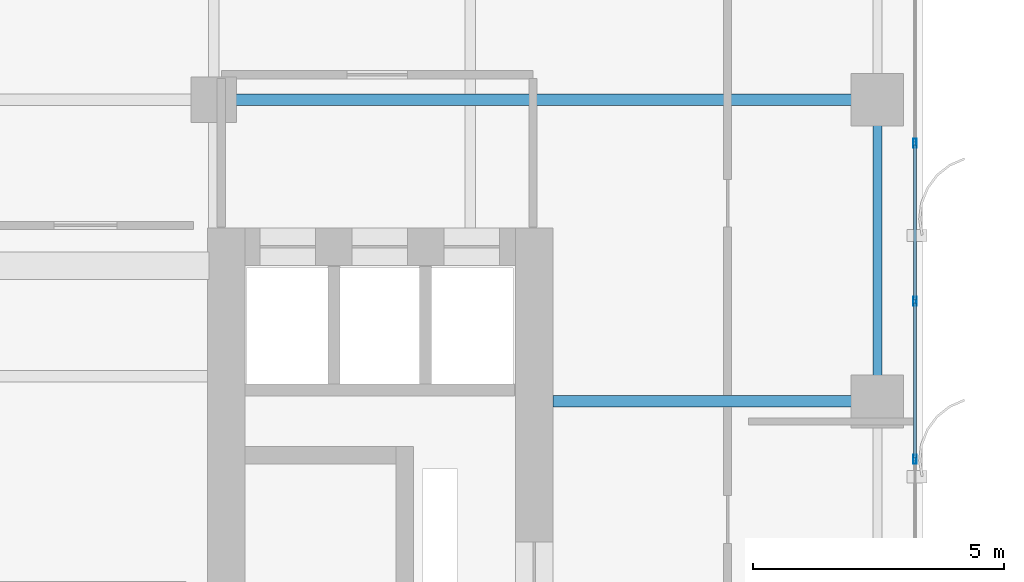
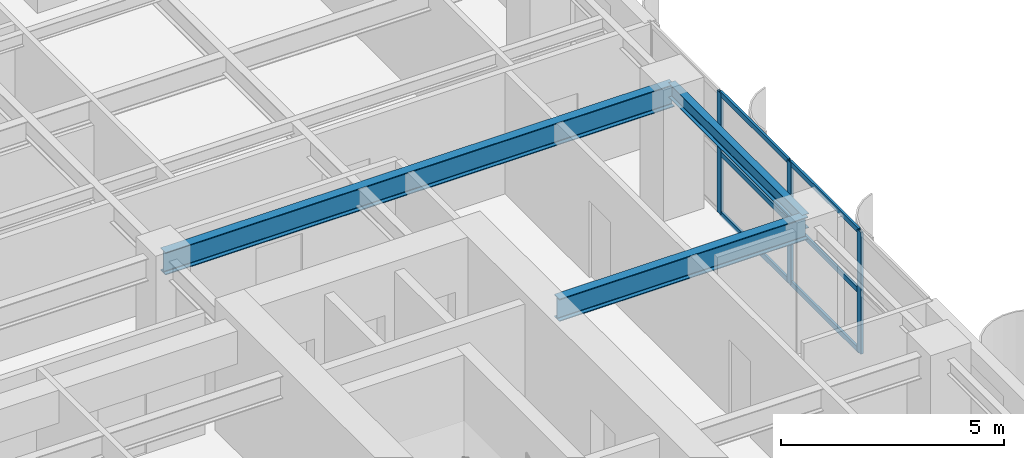
# One storey, part 8 of 23: 9 members, 3 beams, 1 element without a shape of its own.
"""IFC4 building model written with IfcOpenShell, lengths in metres."""

import ifcopenshell
import ifcopenshell.guid

model = None  # the IFC model being written
_history = None  # IfcOwnerHistory: only IFC2X3 demands one
_inside = {}  # id of a spatial element -> (the spatial element, [elements in it])
_under = {}  # id of a project, library or spatial element -> (it, [spatial elements below it])
_declared = {}  # id of a project -> (the project, [libraries it declares])
_typed = {}  # id of a type object -> (the type object, [elements of that type])
_made_of = {}  # id of a material, layer set ... -> (it, [elements and type objects made of it])


def new_model(schema):
    """Start an empty IFC model of exactly this schema.

    Asked for "IFC4X3", IfcOpenShell would pick the latest addendum, in which some entities
    have other attributes; the version numbers below select the first issue.
    IFC2X3 requires an IfcOwnerHistory on every rooted entity: one is made here for all.
    """
    global model, _history
    if schema == "IFC4X3":
        model = ifcopenshell.file(schema_version=(4, 3, 0, 0))
    else:
        model = ifcopenshell.file(schema=schema)
    _inside.clear()
    _under.clear()
    _declared.clear()
    _typed.clear()
    _made_of.clear()
    _history = None
    if model.schema == "IFC2X3":
        org = make("IfcOrganization", Name="unknown")
        user = make(
            "IfcPersonAndOrganization",
            ThePerson=make("IfcPerson", FamilyName="unknown"),
            TheOrganization=org,
        )
        app = make(
            "IfcApplication",
            ApplicationDeveloper=org,
            Version="unknown",
            ApplicationFullName="unknown",
            ApplicationIdentifier="unknown",
        )
        _history = make(
            "IfcOwnerHistory",
            OwningUser=user,
            OwningApplication=app,
            ChangeAction="ADDED",
            CreationDate=0,
        )
    return model


def make(cls, **values):
    """One entity of the class cls with the attributes given. An attribute that is None is left unset."""
    return model.create_entity(
        cls, **{name: value for name, value in values.items() if value is not None}
    )


def rooted(cls, **values):
    """An entity with a GlobalId (a new one), such as an element, a storey or a relation."""
    return make(cls, GlobalId=ifcopenshell.guid.new(), OwnerHistory=_history, **values)


def si_unit(unit_type, name, prefix=None):
    """IfcSIUnit, for example si_unit("LENGTHUNIT", "METRE", prefix="MILLI")."""
    return make("IfcSIUnit", UnitType=unit_type, Prefix=prefix, Name=name)


def assignment(units):
    """IfcUnitAssignment: the units of a project."""
    return None if units is None else make("IfcUnitAssignment", Units=units)


def point(xyz):
    """IfcCartesianPoint."""
    return None if xyz is None else make("IfcCartesianPoint", Coordinates=xyz)


def direction(xyz):
    """IfcDirection."""
    return None if xyz is None else make("IfcDirection", DirectionRatios=xyz)


def frame(location, z_axis=None, x_axis=None):
    """IfcAxis2Placement3D, a coordinate frame: its origin and axes. An axis left out is left unset."""
    return make(
        "IfcAxis2Placement3D",
        Location=point(location),
        Axis=direction(z_axis),
        RefDirection=direction(x_axis),
    )


def frame_2d(location, x_axis=None):
    """IfcAxis2Placement2D, a coordinate frame in the plane: its origin and x axis."""
    return make(
        "IfcAxis2Placement2D", Location=point(location), RefDirection=direction(x_axis)
    )


def origin():
    """The frame at (0, 0, 0) with its axes left unset."""
    return frame((0.0, 0.0, 0.0))


def origin_2d():
    """The frame at (0, 0) in the plane with its x axis left unset."""
    return frame_2d((0.0, 0.0))


def place(relative_to, where):
    """IfcLocalPlacement: puts the frame where relative to a parent placement (None: the world)."""
    return make(
        "IfcLocalPlacement", PlacementRelTo=relative_to, RelativePlacement=where
    )


def context(
    kind, dimensions, precision=None, world=None, true_north=None, identifier=None
):
    """IfcGeometricRepresentationContext, for example the 3D "Model" context."""
    return make(
        "IfcGeometricRepresentationContext",
        ContextIdentifier=identifier,
        ContextType=kind,
        CoordinateSpaceDimension=dimensions,
        Precision=precision,
        WorldCoordinateSystem=world,
        TrueNorth=true_north,
    )


def subcontext(parent, identifier, kind, view, scale=None):
    """IfcGeometricRepresentationSubContext, for example "Body" below "Model"."""
    return make(
        "IfcGeometricRepresentationSubContext",
        ContextIdentifier=identifier,
        ContextType=kind,
        ParentContext=parent,
        TargetScale=scale,
        TargetView=view,
    )


def project(units=None, contexts=None):
    """IfcProject with its units and contexts."""
    return rooted(
        "IfcProject",
        Name="project",
        RepresentationContexts=contexts,
        UnitsInContext=assignment(units),
    )


def spatial(cls, under=None, at=None, **own):
    """A site, building, storey or space (cls), placed at a placement, below another one or the project."""
    s = rooted(cls, ObjectPlacement=at, **own)
    if under is not None:
        _under.setdefault(under.id(), (under, []))[1].append(s)
    return s


def profile(cls, at=None, kind="AREA", **sizes):
    """A parametric profile (cls). Its sizes go by their IFC names, for example OverallWidth=200.0."""
    return make(cls, ProfileType=kind, Position=at, **sizes)


def hollow_rectangle(**sizes):
    """IfcRectangleHollowProfileDef."""
    return profile("IfcRectangleHollowProfileDef", **sizes)


def i_section(**sizes):
    """IfcIShapeProfileDef."""
    return profile("IfcIShapeProfileDef", **sizes)


def extrude(swept, where, along, depth):
    """IfcExtrudedAreaSolid: the profile swept, set in the frame where, extruded along a direction by depth."""
    return make(
        "IfcExtrudedAreaSolid",
        SweptArea=swept,
        Position=where,
        ExtrudedDirection=direction(along),
        Depth=depth,
    )


def shape(context_of_items, identifier, shape_type, items):
    """IfcShapeRepresentation: the items that make up one representation, for example the "Body"."""
    return make(
        "IfcShapeRepresentation",
        ContextOfItems=context_of_items,
        RepresentationIdentifier=identifier,
        RepresentationType=shape_type,
        Items=items,
    )


def source(mapping_origin, context_of_items, identifier, shape_type, items):
    """IfcRepresentationMap: a shape defined once, which mapped items show again and again."""
    return make(
        "IfcRepresentationMap",
        MappingOrigin=mapping_origin,
        MappedRepresentation=shape(context_of_items, identifier, shape_type, items),
    )


def transform(
    local_origin,
    x_axis=None,
    y_axis=None,
    z_axis=None,
    scale=None,
    scale2=None,
    scale3=None,
    uniform=True,
):
    """IfcCartesianTransformationOperator3D, or its non-uniform kind. x_axis, y_axis, z_axis: its Axis1, 2, 3."""
    if uniform:
        return make(
            "IfcCartesianTransformationOperator3D",
            Axis1=direction(x_axis),
            Axis2=direction(y_axis),
            LocalOrigin=point(local_origin),
            Scale=scale,
            Axis3=direction(z_axis),
        )
    return make(
        "IfcCartesianTransformationOperator3DnonUniform",
        Axis1=direction(x_axis),
        Axis2=direction(y_axis),
        LocalOrigin=point(local_origin),
        Scale=scale,
        Axis3=direction(z_axis),
        Scale2=scale2,
        Scale3=scale3,
    )


def mapped(mapping_source, mapping_target):
    """IfcMappedItem: shows the shape of a source again, moved by a transform."""
    return make(
        "IfcMappedItem", MappingSource=mapping_source, MappingTarget=mapping_target
    )


def material(Name=None, Category=None):
    """IfcMaterial."""
    return make("IfcMaterial", Name=Name, Category=Category)


def layer(
    of_material, thickness, ventilated=None, Name=None, Category=None, Priority=None
):
    """IfcMaterialLayer: one layer of a wall or slab, of a material (None: an air gap)."""
    return make(
        "IfcMaterialLayer",
        Material=of_material,
        LayerThickness=thickness,
        IsVentilated=ventilated,
        Name=Name,
        Category=Category,
        Priority=Priority,
    )


def layer_set(layers, Name=None):
    """IfcMaterialLayerSet."""
    return make("IfcMaterialLayerSet", MaterialLayers=layers, LayerSetName=Name)


def material_profile(
    of_material, cross_section, Name=None, Category=None, Priority=None
):
    """IfcMaterialProfile: a cross section and its material."""
    return make(
        "IfcMaterialProfile",
        Name=Name,
        Material=of_material,
        Profile=cross_section,
        Priority=Priority,
        Category=Category,
    )


def profile_set(profiles, Name=None, composite=None):
    """IfcMaterialProfileSet."""
    return make(
        "IfcMaterialProfileSet",
        Name=Name,
        MaterialProfiles=profiles,
        CompositeProfile=composite,
    )


def made_of(thing, what):
    """Note that an element or type object is made of a material, layer set ...; save() writes the relation."""
    if what is not None:
        _made_of.setdefault(what.id(), (what, []))[1].append(thing)
    return thing


def type_object(cls, material=None, **own):
    """A type object (cls), such as IfcWallType, which elements share."""
    return made_of(rooted(cls, **own), material)


def element(
    cls,
    number,
    at=None,
    inside=None,
    cuts=None,
    type_object=None,
    material=None,
    context=None,
    identifier="Body",
    shape_type=None,
    held_by="IfcProductDefinitionShape",
    body=None,
    shapes=None,
    **own,
):
    """One element of the class cls, such as IfcWall. Its Tag is "e" and its number.

    at: its placement. inside: the storey or other place that contains it. cuts: it is an
    opening in that element (IfcRelVoidsElement). A single representation is given by context,
    identifier, shape_type and body (its items); several are given by shapes. held_by: the class
    of the entity that holds the representations. save() writes the other relations.
    """
    e = rooted(cls, Tag="e%d" % number, ObjectPlacement=at, **own)
    if body is not None:
        shapes = [shape(context, identifier, shape_type, body)]
    if shapes is not None:
        e.Representation = make(held_by, Representations=shapes)
    if inside is not None:
        _inside.setdefault(inside.id(), (inside, []))[1].append(e)
    if cuts is not None:
        rooted(
            "IfcRelVoidsElement", RelatingBuildingElement=cuts, RelatedOpeningElement=e
        )
    if type_object is not None:
        _typed.setdefault(type_object.id(), (type_object, []))[1].append(e)
    return made_of(e, material)


def aggregate(whole, parts):
    """IfcRelAggregates: a whole, such as a stair, and the parts it consists of."""
    return rooted("IfcRelAggregates", RelatingObject=whole, RelatedObjects=parts)


def save(model, path):
    """Write the relations noted so far, then the file.

    IfcRelAggregates (storeys below a building ...), IfcRelContainedInSpatialStructure (elements
    in a storey), IfcRelDefinesByType, IfcRelAssociatesMaterial and IfcRelDeclares: one each for
    every whole, place, type object, material and project.
    """
    for whole, parts in _under.values():
        aggregate(whole, parts)
    for where, things in _inside.values():
        rooted(
            "IfcRelContainedInSpatialStructure",
            RelatedElements=things,
            RelatingStructure=where,
        )
    for kind, things in _typed.values():
        rooted("IfcRelDefinesByType", RelatedObjects=things, RelatingType=kind)
    for what, things in _made_of.values():
        rooted("IfcRelAssociatesMaterial", RelatedObjects=things, RelatingMaterial=what)
    for by, libraries in _declared.values():
        rooted("IfcRelDeclares", RelatingContext=by, RelatedDefinitions=libraries)
    model.write(path)


model = new_model("IFC4")

# Units and contexts
model_context = context("Model", 3, precision=1e-05, world=origin(), true_north=direction((0.0, 1.0)))
body_context = subcontext(model_context, "Body", "Model", "MODEL_VIEW")
ifc_project = project(units=[si_unit("LENGTHUNIT", "METRE"), si_unit("AREAUNIT", "SQUARE_METRE"), si_unit("VOLUMEUNIT", "CUBIC_METRE"), si_unit("PLANEANGLEUNIT", "RADIAN"), si_unit("MASSUNIT", "GRAM", prefix="KILO")], contexts=[model_context])

# Site, building, storey
site_placement = place(None, origin())
site = spatial("IfcSite", under=ifc_project, at=site_placement, CompositionType="ELEMENT")
building_placement = place(site_placement, origin())
building = spatial("IfcBuilding", under=site, at=building_placement, Name="Khoralis Quay Care Tower", CompositionType="ELEMENT")
storey_placement = place(building_placement, frame((0.0, 0.0, 119.699951171875)))
storey = spatial("IfcBuildingStorey", under=building, at=storey_placement, Name="L31", CompositionType="ELEMENT", Elevation=119.699951171875)

# Beams
ifc_material_1 = material(Name="Steel S355", Category="steel")
ifc_material_profile_1 = material_profile(ifc_material_1, i_section(OverallWidth=0.179931640625, OverallDepth=0.39990234375, WebThickness=0.008544921875, FlangeThickness=0.013427734375, FilletRadius=0.02099609375, at=origin_2d()), Name="Steel S355")
ifc_profile_set_1 = profile_set([ifc_material_profile_1], Name="Steel S355")
beam_type_1 = type_object("IfcBeamType", Name="BM-IPE400", PredefinedType="SPANDREL", material=ifc_profile_set_1)
shared_shape_1 = source(origin(), body_context, "Body", "SweptSolid", [
    extrude(i_section(OverallWidth=0.179931640625, OverallDepth=0.39990234375, WebThickness=0.008544921875, FlangeThickness=0.013427734375, FilletRadius=0.02099609375, at=origin_2d()), origin(), (0.0, 0.0, 1.0), 6.0),
])
beam_1_placement = place(storey_placement, frame((44.10009765625, 24.0, 3.14013671875), z_axis=(0.0, 1.0, 0.0), x_axis=(-1.0, 0.0, 0.0)))
element("IfcBeam", 1, at=beam_1_placement, inside=storey, type_object=beam_type_1, Name="BM-TSP-L31-19", PredefinedType="SPANDREL", context=body_context, shape_type="MappedRepresentation", body=[
    mapped(shared_shape_1, transform((0.0, 0.0, 0.0), scale=1.0)),
])
ifc_material_profile_2 = material_profile(ifc_material_1, i_section(OverallWidth=0.22998046875, OverallDepth=0.616943359375, WebThickness=0.01318359375, FlangeThickness=0.022216796875, FilletRadius=0.01806640625, at=origin_2d()), Name="Steel S355")
ifc_profile_set_2 = profile_set([ifc_material_profile_2], Name="Steel S355")
beam_type_2 = type_object("IfcBeamType", Name="BM-W610X140", PredefinedType="BEAM", material=ifc_profile_set_2)
shared_shape_2 = source(origin(), body_context, "Body", "SweptSolid", [
    extrude(i_section(OverallWidth=0.22998046875, OverallDepth=0.616943359375, WebThickness=0.01318359375, FlangeThickness=0.022216796875, FilletRadius=0.01806640625, at=origin_2d()), origin(), (0.0, 0.0, 1.0), 13.2001953125),
])
beam_2_placement = place(storey_placement, frame((30.89990234375, 30.0, 3.031494140625), z_axis=(1.0, 0.0, 0.0), x_axis=(0.0, 1.0, 0.0)))
element("IfcBeam", 2, at=beam_2_placement, inside=storey, type_object=beam_type_2, Name="BM-TGXE-L31-300", PredefinedType="BEAM", context=body_context, shape_type="MappedRepresentation", body=[
    mapped(shared_shape_2, transform((0.0, 0.0, 0.0), scale=1.0)),
])
shared_shape_3 = source(origin(), body_context, "Body", "SweptSolid", [
    extrude(i_section(OverallWidth=0.22998046875, OverallDepth=0.616943359375, WebThickness=0.01318359375, FlangeThickness=0.022216796875, FilletRadius=0.01806640625, at=origin_2d()), origin(), (0.0, 0.0, 1.0), 6.4521484375),
])
beam_3_placement = place(storey_placement, frame((37.64794921875, 24.0, 3.031494140625), z_axis=(1.0, 0.0, 0.0), x_axis=(0.0, 1.0, 0.0)))
element("IfcBeam", 3, at=beam_3_placement, inside=storey, type_object=beam_type_2, Name="BM-TGXE-L31-240", PredefinedType="BEAM", context=body_context, shape_type="MappedRepresentation", body=[
    mapped(shared_shape_3, transform((0.0, 0.0, 0.0), scale=1.0)),
])

# Curtain wall, members
ifc_material_2 = material(Name="Pale anodised aluminium", Category="aluminium")
ifc_layer = layer(ifc_material_2, 0.169921875)
ifc_layer_set = layer_set([ifc_layer], Name="Pale anodised aluminium")
curtain_wall_type = type_object("IfcCurtainWallType", Name="CW-SYS-Z2", PredefinedType="NOTDEFINED", material=ifc_layer_set)
curtain_wall_placement = place(storey_placement, origin())
curtain_wall = element("IfcCurtainWall", 4, at=curtain_wall_placement, inside=storey, type_object=curtain_wall_type, Name="L31 Unitised Curtain Wall CW-L31-P1-E5", PredefinedType="NOTDEFINED")
ifc_material_profile_3 = material_profile(ifc_material_2, hollow_rectangle(XDim=0.06005859375, YDim=0.139892578125, WallThickness=0.00390625, at=origin_2d()), Name="Pale anodised aluminium")
ifc_profile_set_3 = profile_set([ifc_material_profile_3], Name="Pale anodised aluminium")
member_type_1 = type_object("IfcMemberType", Name="CW-TRN-140", PredefinedType="USERDEFINED", material=ifc_profile_set_3)
shared_shape_4 = source(origin(), body_context, "Body", "SweptSolid", [
    extrude(hollow_rectangle(XDim=0.06005859375, YDim=0.139892578125, WallThickness=0.00390625, at=origin_2d()), origin(), (0.0, 0.0, 1.0), 3.0849609375),
])
member_1_placement = place(storey_placement, frame((44.85009765625, 22.875, 0.030029296875), z_axis=(0.0, 1.0, 0.0), x_axis=(-1.0, 0.0, 0.0)))
member_1 = element("IfcMember", 5, at=member_1_placement, type_object=member_type_1, Name="CW2 transom 2.1", ObjectType="TRANSOM", PredefinedType="USERDEFINED", context=body_context, shape_type="MappedRepresentation", body=[
    mapped(shared_shape_4, transform((0.0, 0.0, 0.0), scale=1.0)),
])
member_2_placement = place(storey_placement, frame((44.85009765625, 22.875, 1.670166015625), z_axis=(0.0, 1.0, 0.0), x_axis=(-1.0, 0.0, 0.0)))
member_2 = element("IfcMember", 6, at=member_2_placement, type_object=member_type_1, Name="CW2 transom 2.2", ObjectType="TRANSOM", PredefinedType="USERDEFINED", context=body_context, shape_type="MappedRepresentation", body=[
    mapped(shared_shape_4, transform((0.0, 0.0, 0.0), scale=1.0)),
])
member_3_placement = place(storey_placement, frame((44.85009765625, 22.875, 3.31005859375), z_axis=(0.0, 1.0, 0.0), x_axis=(-1.0, 0.0, 0.0)))
member_3 = element("IfcMember", 7, at=member_3_placement, type_object=member_type_1, Name="CW2 transom 2.3", ObjectType="TRANSOM", PredefinedType="USERDEFINED", context=body_context, shape_type="MappedRepresentation", body=[
    mapped(shared_shape_4, transform((0.0, 0.0, 0.0), scale=1.0)),
])
member_4_placement = place(storey_placement, frame((44.85009765625, 26.02001953125, 0.030029296875), z_axis=(0.0, 1.0, 0.0), x_axis=(-1.0, 0.0, 0.0)))
member_4 = element("IfcMember", 8, at=member_4_placement, type_object=member_type_1, Name="CW2 transom 3.1", ObjectType="TRANSOM", PredefinedType="USERDEFINED", context=body_context, shape_type="MappedRepresentation", body=[
    mapped(shared_shape_4, transform((0.0, 0.0, 0.0), scale=1.0)),
])
member_5_placement = place(storey_placement, frame((44.85009765625, 26.02001953125, 1.670166015625), z_axis=(0.0, 1.0, 0.0), x_axis=(-1.0, 0.0, 0.0)))
member_5 = element("IfcMember", 9, at=member_5_placement, type_object=member_type_1, Name="CW2 transom 3.2", ObjectType="TRANSOM", PredefinedType="USERDEFINED", context=body_context, shape_type="MappedRepresentation", body=[
    mapped(shared_shape_4, transform((0.0, 0.0, 0.0), scale=1.0)),
])
member_6_placement = place(storey_placement, frame((44.85009765625, 26.02001953125, 3.31005859375), z_axis=(0.0, 1.0, 0.0), x_axis=(-1.0, 0.0, 0.0)))
member_6 = element("IfcMember", 10, at=member_6_placement, type_object=member_type_1, Name="CW2 transom 3.3", ObjectType="TRANSOM", PredefinedType="USERDEFINED", context=body_context, shape_type="MappedRepresentation", body=[
    mapped(shared_shape_4, transform((0.0, 0.0, 0.0), scale=1.0)),
])
ifc_material_profile_4 = material_profile(ifc_material_2, hollow_rectangle(XDim=0.06494140625, YDim=0.179931640625, WallThickness=0.00390625, at=origin_2d()), Name="Pale anodised aluminium")
ifc_profile_set_4 = profile_set([ifc_material_profile_4], Name="Pale anodised aluminium")
member_type_2 = type_object("IfcMemberType", Name="CW-MUL-180", PredefinedType="MULLION", material=ifc_profile_set_4)
shared_shape_5 = source(origin(), body_context, "Body", "SweptSolid", [
    extrude(hollow_rectangle(XDim=0.06494140625, YDim=0.179931640625, WallThickness=0.00390625, at=origin_2d()), origin(), (0.0, 0.0, 1.0), 3.340087890625),
])
member_7_placement = place(storey_placement, frame((44.85009765625, 22.844970703125, 0.0), z_axis=(0.0, 0.0, 1.0), x_axis=(-1.0, 0.0, 0.0)))
member_7 = element("IfcMember", 11, at=member_7_placement, type_object=member_type_2, Name="CW2 mullion 2", PredefinedType="MULLION", context=body_context, shape_type="MappedRepresentation", body=[
    mapped(shared_shape_5, transform((0.0, 0.0, 0.0), scale=1.0)),
])
member_8_placement = place(storey_placement, frame((44.85009765625, 25.989990234375, 0.0), z_axis=(0.0, 0.0, 1.0), x_axis=(-1.0, 0.0, 0.0)))
member_8 = element("IfcMember", 12, at=member_8_placement, type_object=member_type_2, Name="CW2 mullion 3", PredefinedType="MULLION", context=body_context, shape_type="MappedRepresentation", body=[
    mapped(shared_shape_5, transform((0.0, 0.0, 0.0), scale=1.0)),
])
member_9_placement = place(storey_placement, frame((44.85009765625, 29.135009765625, 0.0), z_axis=(0.0, 0.0, 1.0), x_axis=(-1.0, 0.0, 0.0)))
member_9 = element("IfcMember", 13, at=member_9_placement, type_object=member_type_2, Name="CW2 mullion 4", PredefinedType="MULLION", context=body_context, shape_type="MappedRepresentation", body=[
    mapped(shared_shape_5, transform((0.0, 0.0, 0.0), scale=1.0)),
])
aggregate(curtain_wall, [member_7, member_8, member_9, member_1, member_2, member_3, member_4, member_5, member_6])

save(model, "model.ifc")
